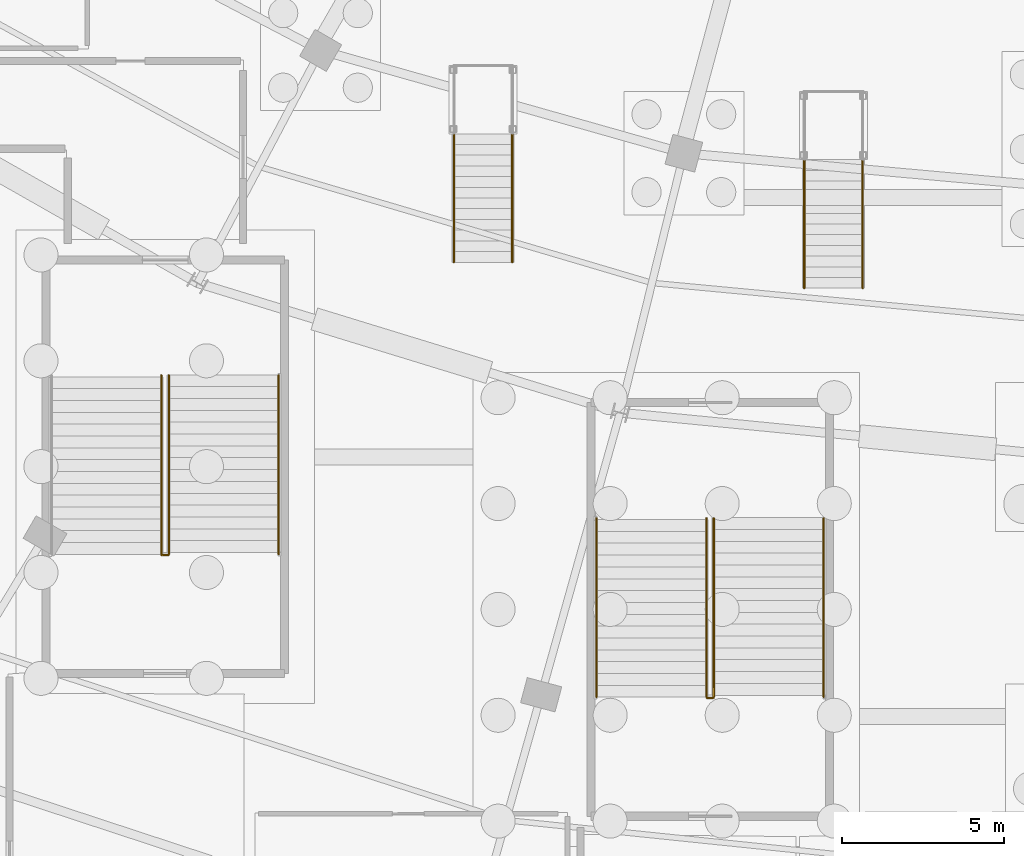
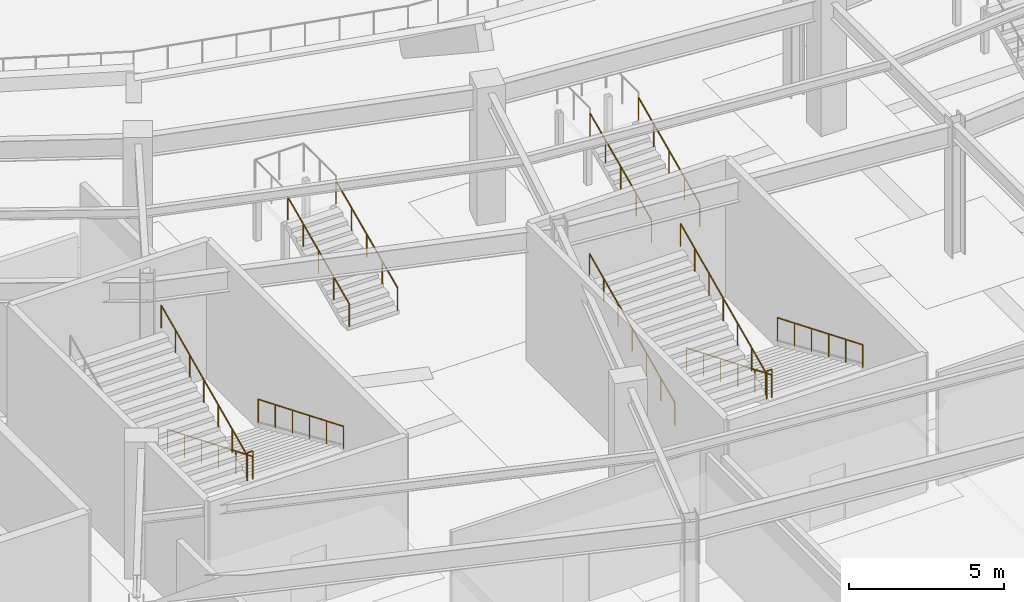
# One storey, part 72 of 93: 13 railings.
"""IFC4 building model written with IfcOpenShell, lengths in metres."""

from ifc_helpers import new_model, si_unit, direction, frame, origin, origin_2d, place, context, subcontext, project, spatial, circle, extrude, material, type_object, element, save


model = new_model("IFC4")

# Units and contexts
model_context = context("Model", 3, precision=1e-05, world=origin(), true_north=direction((0.0, 1.0)))
body_context = subcontext(model_context, "Body", "Model", "MODEL_VIEW")
ifc_project = project(units=[si_unit("LENGTHUNIT", "METRE"), si_unit("AREAUNIT", "SQUARE_METRE"), si_unit("VOLUMEUNIT", "CUBIC_METRE"), si_unit("PLANEANGLEUNIT", "RADIAN"), si_unit("MASSUNIT", "GRAM", prefix="KILO")], contexts=[model_context])

# Site, building, storey
site_placement = place(None, origin())
site = spatial("IfcSite", under=ifc_project, at=site_placement, CompositionType="ELEMENT")
building_placement = place(site_placement, origin())
building = spatial("IfcBuilding", under=site, at=building_placement, Name="Kalgoora Escarpment Arena", CompositionType="ELEMENT")
storey_placement = place(building_placement, origin())
storey = spatial("IfcBuildingStorey", under=building, at=storey_placement, Name="L00", CompositionType="ELEMENT", Elevation=0.0)

# Railings
ifc_material_1 = material(Name="Galvanised & powdercoated tubular steel", Category="steel")
railing_type_1 = type_object("IfcRailingType", Name="RAL-GUARD-1120", PredefinedType="GUARDRAIL", material=ifc_material_1)
railing_1_placement = place(storey_placement, frame((64.5048828125, 20.97509765625, 2.699951171875)))
element("IfcRailing", 1, at=railing_1_placement, inside=storey, type_object=railing_type_1, Name="ST13 L00 half-landing well guard", PredefinedType="GUARDRAIL", context=body_context, shape_type="SweptSolid", body=[
    extrude(circle(Radius=0.02392578125, at=origin_2d()), frame((0.0, 0.0, 1.09619140625), z_axis=(-1.0, 0.0, 0.0), x_axis=(0.0, -1.0, 0.0)), (0.0, 0.0, 1.0), 0.2099609375),
    extrude(circle(Radius=0.02099609375, at=origin_2d()), origin(), (0.0, 0.0, 1.0), 1.072021484375),
    extrude(circle(Radius=0.02099609375, at=origin_2d()), frame((-0.2099609375, 0.0, 0.0)), (0.0, 0.0, 1.0), 1.072021484375),
])
railing_2_placement = place(storey_placement, frame((81.300048828125, 16.574951171875, 2.699951171875)))
element("IfcRailing", 2, at=railing_2_placement, inside=storey, type_object=railing_type_1, Name="ST14 L00 half-landing well guard", PredefinedType="GUARDRAIL", context=body_context, shape_type="SweptSolid", body=[
    extrude(circle(Radius=0.02392578125, at=origin_2d()), frame((0.0, 0.0, 1.09619140625), z_axis=(-1.0, 0.0, 0.0), x_axis=(0.0, -1.0, 0.0)), (0.0, 0.0, 1.0), 0.199951171875),
    extrude(circle(Radius=0.02099609375, at=origin_2d()), origin(), (0.0, 0.0, 1.0), 1.072021484375),
    extrude(circle(Radius=0.02099609375, at=origin_2d()), frame((-0.199951171875, 0.0, 0.0)), (0.0, 0.0, 1.0), 1.072021484375),
])
ifc_material_2 = material(Name="Brushed stainless steel 316 handrail", Category="steel")
railing_type_2 = type_object("IfcRailingType", Name="RAL-HAND-920", PredefinedType="HANDRAIL", material=ifc_material_2)
for number, where, name in (
    (3, (67.89990234375, 26.510009765625, 0.388916015625), "ST13 L00 pitched stair handrail F1L"),
    (4, (64.514892578125, 26.510009765625, 0.388916015625), "ST13 L00 pitched stair handrail F1R"),
):
    element("IfcRailing", number, at=place(storey_placement, frame(where)), inside=storey, type_object=railing_type_2, Name=name, PredefinedType="HANDRAIL", context=body_context, shape_type="SweptSolid", body=[
        extrude(circle(Radius=0.02392578125, at=origin_2d()), frame((0.0, 0.0, 0.89599609375), z_axis=(0.0, -0.924430832969, 0.381349754236), x_axis=(1.0, 0.0, 0.0)), (0.0, 0.0, 1.0), 5.955078125),
        extrude(circle(Radius=0.02099609375, at=origin_2d()), origin(), (0.0, 0.0, 1.0), 0.871826171875),
        extrude(circle(Radius=0.02099609375, at=origin_2d()), frame((0.0, -1.10107421875, 0.4541015625)), (0.0, 0.0, 1.0), 0.871826171875),
        extrude(circle(Radius=0.02099609375, at=origin_2d()), frame((0.0, -2.2021484375, 0.908447265625)), (0.0, 0.0, 1.0), 0.871826171875),
        extrude(circle(Radius=0.02099609375, at=origin_2d()), frame((0.0, -3.302978515625, 1.362548828125)), (0.0, 0.0, 1.0), 0.871826171875),
        extrude(circle(Radius=0.02099609375, at=origin_2d()), frame((0.0, -4.404052734375, 1.81689453125)), (0.0, 0.0, 1.0), 0.871826171875),
        extrude(circle(Radius=0.02099609375, at=origin_2d()), frame((0.0, -5.505126953125, 2.27099609375)), (0.0, 0.0, 1.0), 0.871826171875),
    ])
railing_3_placement = place(storey_placement, frame((64.284912109375, 21.0048828125, 2.828857421875)))
element("IfcRailing", 5, at=railing_3_placement, inside=storey, type_object=railing_type_2, Name="ST13 L00 pitched stair handrail F2L", PredefinedType="HANDRAIL", context=body_context, shape_type="SweptSolid", body=[
    extrude(circle(Radius=0.02392578125, at=origin_2d()), frame((0.0, 0.0, 0.89599609375), z_axis=(0.0, 0.908559891483, 0.417754621265), x_axis=(-1.0, 0.0, 0.0)), (0.0, 0.0, 1.0), 6.05908203125),
    extrude(circle(Radius=0.02099609375, at=origin_2d()), origin(), (0.0, 0.0, 1.0), 0.871826171875),
    extrude(circle(Radius=0.02099609375, at=origin_2d()), frame((0.0, 0.91748046875, 0.421875)), (0.0, 0.0, 1.0), 0.871826171875),
    extrude(circle(Radius=0.02099609375, at=origin_2d()), frame((0.0, 1.8349609375, 0.84375)), (0.0, 0.0, 1.0), 0.871826171875),
    extrude(circle(Radius=0.02099609375, at=origin_2d()), frame((0.0, 2.75244140625, 1.265625)), (0.0, 0.0, 1.0), 0.871826171875),
    extrude(circle(Radius=0.02099609375, at=origin_2d()), frame((0.0, 3.670166015625, 1.6875)), (0.0, 0.0, 1.0), 0.871826171875),
    extrude(circle(Radius=0.02099609375, at=origin_2d()), frame((0.0, 4.587646484375, 2.109375)), (0.0, 0.0, 1.0), 0.871826171875),
    extrude(circle(Radius=0.02099609375, at=origin_2d()), frame((0.0, 5.505126953125, 2.53125)), (0.0, 0.0, 1.0), 0.871826171875),
])
for number, where, name in (
    (6, (84.699951171875, 22.110107421875, 0.388916015625), "ST14 L00 pitched stair handrail F1L"),
    (7, (81.31005859375, 22.110107421875, 0.388916015625), "ST14 L00 pitched stair handrail F1R"),
):
    element("IfcRailing", number, at=place(storey_placement, frame(where)), inside=storey, type_object=railing_type_2, Name=name, PredefinedType="HANDRAIL", context=body_context, shape_type="SweptSolid", body=[
        extrude(circle(Radius=0.02392578125, at=origin_2d()), frame((0.0, 0.0, 0.89599609375), z_axis=(0.0, -0.924430832969, 0.381349754236), x_axis=(1.0, 0.0, 0.0)), (0.0, 0.0, 1.0), 5.955078125),
        extrude(circle(Radius=0.02099609375, at=origin_2d()), origin(), (0.0, 0.0, 1.0), 0.871826171875),
        extrude(circle(Radius=0.02099609375, at=origin_2d()), frame((0.0, -1.10107421875, 0.4541015625)), (0.0, 0.0, 1.0), 0.871826171875),
        extrude(circle(Radius=0.02099609375, at=origin_2d()), frame((0.0, -2.2021484375, 0.908447265625)), (0.0, 0.0, 1.0), 0.871826171875),
        extrude(circle(Radius=0.02099609375, at=origin_2d()), frame((0.0, -3.302978515625, 1.362548828125)), (0.0, 0.0, 1.0), 0.871826171875),
        extrude(circle(Radius=0.02099609375, at=origin_2d()), frame((0.0, -4.404052734375, 1.81689453125)), (0.0, 0.0, 1.0), 0.871826171875),
        extrude(circle(Radius=0.02099609375, at=origin_2d()), frame((0.0, -5.505126953125, 2.27099609375)), (0.0, 0.0, 1.0), 0.871826171875),
    ])
for number, where, name in (
    (8, (81.090087890625, 16.60498046875, 2.828857421875), "ST14 L00 pitched stair handrail F2L"),
    (9, (77.699951171875, 16.60498046875, 2.828857421875), "ST14 L00 pitched stair handrail F2R"),
):
    element("IfcRailing", number, at=place(storey_placement, frame(where)), inside=storey, type_object=railing_type_2, Name=name, PredefinedType="HANDRAIL", context=body_context, shape_type="SweptSolid", body=[
        extrude(circle(Radius=0.02392578125, at=origin_2d()), frame((0.0, 0.0, 0.89599609375), z_axis=(0.0, 0.908559891483, 0.417754621265), x_axis=(-1.0, 0.0, 0.0)), (0.0, 0.0, 1.0), 6.05908203125),
        extrude(circle(Radius=0.02099609375, at=origin_2d()), origin(), (0.0, 0.0, 1.0), 0.871826171875),
        extrude(circle(Radius=0.02099609375, at=origin_2d()), frame((0.0, 0.91748046875, 0.421875)), (0.0, 0.0, 1.0), 0.871826171875),
        extrude(circle(Radius=0.02099609375, at=origin_2d()), frame((0.0, 1.8349609375, 0.84375)), (0.0, 0.0, 1.0), 0.871826171875),
        extrude(circle(Radius=0.02099609375, at=origin_2d()), frame((0.0, 2.75244140625, 1.265625)), (0.0, 0.0, 1.0), 0.871826171875),
        extrude(circle(Radius=0.02099609375, at=origin_2d()), frame((0.0, 3.670166015625, 1.6875)), (0.0, 0.0, 1.0), 0.871826171875),
        extrude(circle(Radius=0.02099609375, at=origin_2d()), frame((0.0, 4.587646484375, 2.109375)), (0.0, 0.0, 1.0), 0.871826171875),
        extrude(circle(Radius=0.02099609375, at=origin_2d()), frame((0.0, 5.505126953125, 2.53125)), (0.0, 0.0, 1.0), 0.871826171875),
    ])
for number, where, name in (
    (10, (75.10009765625, 30.0, 0.14990234375), "Vomitory VST05 handrail L"),
    (11, (73.300048828125, 30.0, 0.14990234375), "Vomitory VST05 handrail R"),
    (12, (85.89990234375, 29.199951171875, 0.14990234375), "Vomitory VST06 handrail L"),
    (13, (84.10009765625, 29.199951171875, 0.14990234375), "Vomitory VST06 handrail R"),
):
    element("IfcRailing", number, at=place(storey_placement, frame(where)), inside=storey, type_object=railing_type_2, Name=name, PredefinedType="HANDRAIL", context=body_context, shape_type="SweptSolid", body=[
        extrude(circle(Radius=0.02392578125, at=origin_2d()), frame((0.0, 0.0, 0.89599609375), z_axis=(0.0, 0.910360711023, 0.413815630233), x_axis=(-1.0, 0.0, 0.0)), (0.0, 0.0, 1.0), 4.349853515625),
        extrude(circle(Radius=0.02099609375, at=origin_2d()), origin(), (0.0, 0.0, 1.0), 0.871826171875),
        extrude(circle(Radius=0.02099609375, at=origin_2d()), frame((0.0, 0.989990234375, 0.449951171875)), (0.0, 0.0, 1.0), 0.871826171875),
        extrude(circle(Radius=0.02099609375, at=origin_2d()), frame((0.0, 1.97998046875, 0.89990234375)), (0.0, 0.0, 1.0), 0.871826171875),
        extrude(circle(Radius=0.02099609375, at=origin_2d()), frame((0.0, 2.969970703125, 1.35009765625)), (0.0, 0.0, 1.0), 0.871826171875),
        extrude(circle(Radius=0.02099609375, at=origin_2d()), frame((0.0, 3.9599609375, 1.800048828125)), (0.0, 0.0, 1.0), 0.871826171875),
    ])

save(model, "model.ifc")
